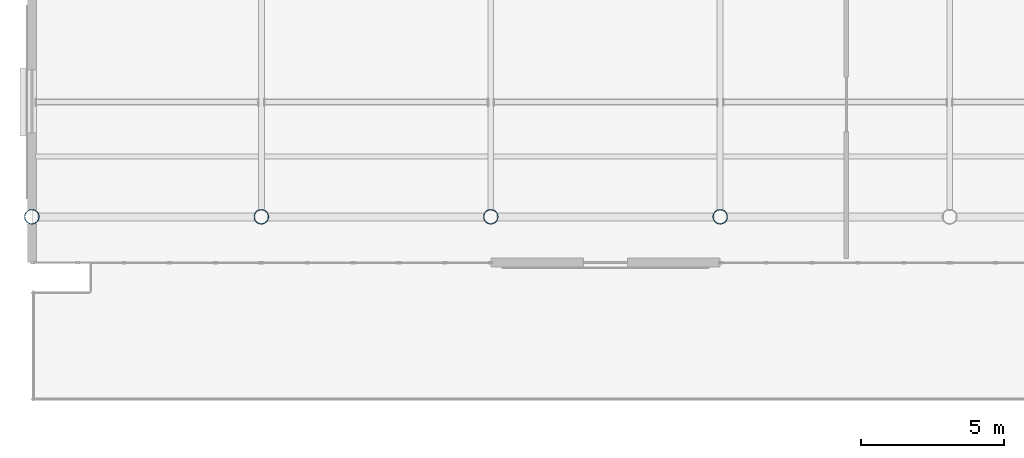
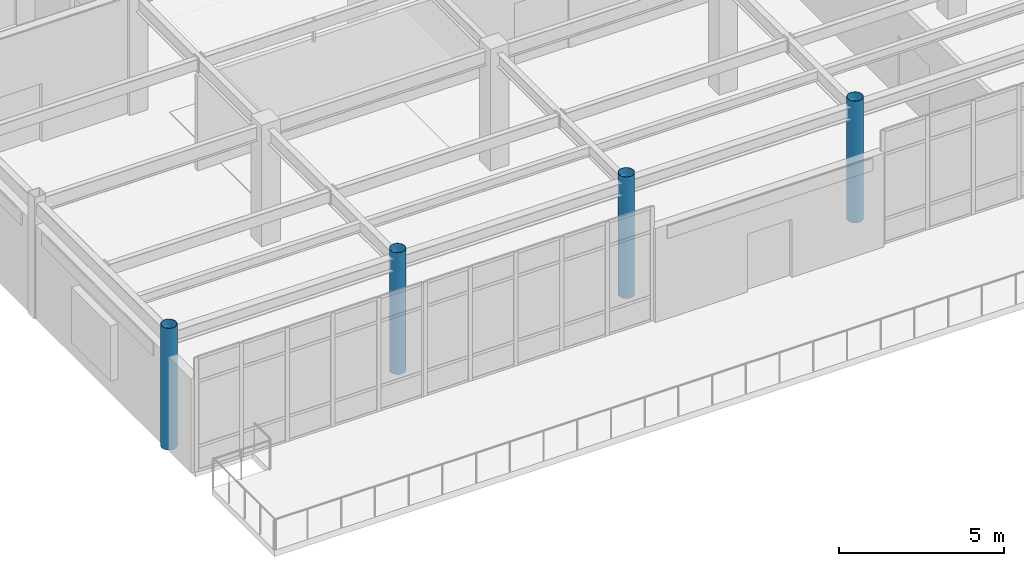
# One storey, part 8 of 93: 4 columns.
"""IFC4 building model written with IfcOpenShell, lengths in metres."""

import ifcopenshell
import ifcopenshell.guid

model = None  # the IFC model being written
_history = None  # IfcOwnerHistory: only IFC2X3 demands one
_inside = {}  # id of a spatial element -> (the spatial element, [elements in it])
_under = {}  # id of a project, library or spatial element -> (it, [spatial elements below it])
_declared = {}  # id of a project -> (the project, [libraries it declares])
_typed = {}  # id of a type object -> (the type object, [elements of that type])
_made_of = {}  # id of a material, layer set ... -> (it, [elements and type objects made of it])


def new_model(schema):
    """Start an empty IFC model of exactly this schema.

    Asked for "IFC4X3", IfcOpenShell would pick the latest addendum, in which some entities
    have other attributes; the version numbers below select the first issue.
    IFC2X3 requires an IfcOwnerHistory on every rooted entity: one is made here for all.
    """
    global model, _history
    if schema == "IFC4X3":
        model = ifcopenshell.file(schema_version=(4, 3, 0, 0))
    else:
        model = ifcopenshell.file(schema=schema)
    _inside.clear()
    _under.clear()
    _declared.clear()
    _typed.clear()
    _made_of.clear()
    _history = None
    if model.schema == "IFC2X3":
        org = make("IfcOrganization", Name="unknown")
        user = make(
            "IfcPersonAndOrganization",
            ThePerson=make("IfcPerson", FamilyName="unknown"),
            TheOrganization=org,
        )
        app = make(
            "IfcApplication",
            ApplicationDeveloper=org,
            Version="unknown",
            ApplicationFullName="unknown",
            ApplicationIdentifier="unknown",
        )
        _history = make(
            "IfcOwnerHistory",
            OwningUser=user,
            OwningApplication=app,
            ChangeAction="ADDED",
            CreationDate=0,
        )
    return model


def make(cls, **values):
    """One entity of the class cls with the attributes given. An attribute that is None is left unset."""
    return model.create_entity(
        cls, **{name: value for name, value in values.items() if value is not None}
    )


def rooted(cls, **values):
    """An entity with a GlobalId (a new one), such as an element, a storey or a relation."""
    return make(cls, GlobalId=ifcopenshell.guid.new(), OwnerHistory=_history, **values)


def si_unit(unit_type, name, prefix=None):
    """IfcSIUnit, for example si_unit("LENGTHUNIT", "METRE", prefix="MILLI")."""
    return make("IfcSIUnit", UnitType=unit_type, Prefix=prefix, Name=name)


def assignment(units):
    """IfcUnitAssignment: the units of a project."""
    return None if units is None else make("IfcUnitAssignment", Units=units)


def point(xyz):
    """IfcCartesianPoint."""
    return None if xyz is None else make("IfcCartesianPoint", Coordinates=xyz)


def direction(xyz):
    """IfcDirection."""
    return None if xyz is None else make("IfcDirection", DirectionRatios=xyz)


def frame(location, z_axis=None, x_axis=None):
    """IfcAxis2Placement3D, a coordinate frame: its origin and axes. An axis left out is left unset."""
    return make(
        "IfcAxis2Placement3D",
        Location=point(location),
        Axis=direction(z_axis),
        RefDirection=direction(x_axis),
    )


def frame_2d(location, x_axis=None):
    """IfcAxis2Placement2D, a coordinate frame in the plane: its origin and x axis."""
    return make(
        "IfcAxis2Placement2D", Location=point(location), RefDirection=direction(x_axis)
    )


def origin():
    """The frame at (0, 0, 0) with its axes left unset."""
    return frame((0.0, 0.0, 0.0))


def origin_2d():
    """The frame at (0, 0) in the plane with its x axis left unset."""
    return frame_2d((0.0, 0.0))


def place(relative_to, where):
    """IfcLocalPlacement: puts the frame where relative to a parent placement (None: the world)."""
    return make(
        "IfcLocalPlacement", PlacementRelTo=relative_to, RelativePlacement=where
    )


def context(
    kind, dimensions, precision=None, world=None, true_north=None, identifier=None
):
    """IfcGeometricRepresentationContext, for example the 3D "Model" context."""
    return make(
        "IfcGeometricRepresentationContext",
        ContextIdentifier=identifier,
        ContextType=kind,
        CoordinateSpaceDimension=dimensions,
        Precision=precision,
        WorldCoordinateSystem=world,
        TrueNorth=true_north,
    )


def subcontext(parent, identifier, kind, view, scale=None):
    """IfcGeometricRepresentationSubContext, for example "Body" below "Model"."""
    return make(
        "IfcGeometricRepresentationSubContext",
        ContextIdentifier=identifier,
        ContextType=kind,
        ParentContext=parent,
        TargetScale=scale,
        TargetView=view,
    )


def project(units=None, contexts=None):
    """IfcProject with its units and contexts."""
    return rooted(
        "IfcProject",
        Name="project",
        RepresentationContexts=contexts,
        UnitsInContext=assignment(units),
    )


def spatial(cls, under=None, at=None, **own):
    """A site, building, storey or space (cls), placed at a placement, below another one or the project."""
    s = rooted(cls, ObjectPlacement=at, **own)
    if under is not None:
        _under.setdefault(under.id(), (under, []))[1].append(s)
    return s


def profile(cls, at=None, kind="AREA", **sizes):
    """A parametric profile (cls). Its sizes go by their IFC names, for example OverallWidth=200.0."""
    return make(cls, ProfileType=kind, Position=at, **sizes)


def hollow_circle(**sizes):
    """IfcCircleHollowProfileDef."""
    return profile("IfcCircleHollowProfileDef", **sizes)


def extrude(swept, where, along, depth):
    """IfcExtrudedAreaSolid: the profile swept, set in the frame where, extruded along a direction by depth."""
    return make(
        "IfcExtrudedAreaSolid",
        SweptArea=swept,
        Position=where,
        ExtrudedDirection=direction(along),
        Depth=depth,
    )


def shape(context_of_items, identifier, shape_type, items):
    """IfcShapeRepresentation: the items that make up one representation, for example the "Body"."""
    return make(
        "IfcShapeRepresentation",
        ContextOfItems=context_of_items,
        RepresentationIdentifier=identifier,
        RepresentationType=shape_type,
        Items=items,
    )


def material(Name=None, Category=None):
    """IfcMaterial."""
    return make("IfcMaterial", Name=Name, Category=Category)


def material_profile(
    of_material, cross_section, Name=None, Category=None, Priority=None
):
    """IfcMaterialProfile: a cross section and its material."""
    return make(
        "IfcMaterialProfile",
        Name=Name,
        Material=of_material,
        Profile=cross_section,
        Priority=Priority,
        Category=Category,
    )


def profile_set(profiles, Name=None, composite=None):
    """IfcMaterialProfileSet."""
    return make(
        "IfcMaterialProfileSet",
        Name=Name,
        MaterialProfiles=profiles,
        CompositeProfile=composite,
    )


def made_of(thing, what):
    """Note that an element or type object is made of a material, layer set ...; save() writes the relation."""
    if what is not None:
        _made_of.setdefault(what.id(), (what, []))[1].append(thing)
    return thing


def type_object(cls, material=None, **own):
    """A type object (cls), such as IfcWallType, which elements share."""
    return made_of(rooted(cls, **own), material)


def element(
    cls,
    number,
    at=None,
    inside=None,
    cuts=None,
    type_object=None,
    material=None,
    context=None,
    identifier="Body",
    shape_type=None,
    held_by="IfcProductDefinitionShape",
    body=None,
    shapes=None,
    **own,
):
    """One element of the class cls, such as IfcWall. Its Tag is "e" and its number.

    at: its placement. inside: the storey or other place that contains it. cuts: it is an
    opening in that element (IfcRelVoidsElement). A single representation is given by context,
    identifier, shape_type and body (its items); several are given by shapes. held_by: the class
    of the entity that holds the representations. save() writes the other relations.
    """
    e = rooted(cls, Tag="e%d" % number, ObjectPlacement=at, **own)
    if body is not None:
        shapes = [shape(context, identifier, shape_type, body)]
    if shapes is not None:
        e.Representation = make(held_by, Representations=shapes)
    if inside is not None:
        _inside.setdefault(inside.id(), (inside, []))[1].append(e)
    if cuts is not None:
        rooted(
            "IfcRelVoidsElement", RelatingBuildingElement=cuts, RelatedOpeningElement=e
        )
    if type_object is not None:
        _typed.setdefault(type_object.id(), (type_object, []))[1].append(e)
    return made_of(e, material)


def aggregate(whole, parts):
    """IfcRelAggregates: a whole, such as a stair, and the parts it consists of."""
    return rooted("IfcRelAggregates", RelatingObject=whole, RelatedObjects=parts)


def save(model, path):
    """Write the relations noted so far, then the file.

    IfcRelAggregates (storeys below a building ...), IfcRelContainedInSpatialStructure (elements
    in a storey), IfcRelDefinesByType, IfcRelAssociatesMaterial and IfcRelDeclares: one each for
    every whole, place, type object, material and project.
    """
    for whole, parts in _under.values():
        aggregate(whole, parts)
    for where, things in _inside.values():
        rooted(
            "IfcRelContainedInSpatialStructure",
            RelatedElements=things,
            RelatingStructure=where,
        )
    for kind, things in _typed.values():
        rooted("IfcRelDefinesByType", RelatedObjects=things, RelatingType=kind)
    for what, things in _made_of.values():
        rooted("IfcRelAssociatesMaterial", RelatedObjects=things, RelatingMaterial=what)
    for by, libraries in _declared.values():
        rooted("IfcRelDeclares", RelatingContext=by, RelatedDefinitions=libraries)
    model.write(path)


model = new_model("IFC4")

# Units and contexts
model_context = context("Model", 3, precision=1e-05, world=origin(), true_north=direction((0.0, 1.0)))
body_context = subcontext(model_context, "Body", "Model", "MODEL_VIEW")
ifc_project = project(units=[si_unit("LENGTHUNIT", "METRE"), si_unit("AREAUNIT", "SQUARE_METRE"), si_unit("VOLUMEUNIT", "CUBIC_METRE"), si_unit("PLANEANGLEUNIT", "RADIAN"), si_unit("MASSUNIT", "GRAM", prefix="KILO")], contexts=[model_context])

# Site, building, storey
site_placement = place(None, origin())
site = spatial("IfcSite", under=ifc_project, at=site_placement, CompositionType="ELEMENT")
building_placement = place(site_placement, origin())
building = spatial("IfcBuilding", under=site, at=building_placement, Name="Solmirada Galleria", CompositionType="ELEMENT")
storey_placement = place(building_placement, frame((0.0, 0.0, 14.89990234375)))
storey = spatial("IfcBuildingStorey", under=building, at=storey_placement, Name="L03", CompositionType="ELEMENT", Elevation=14.89990234375)

# Columns
ifc_material = material(Name="Steel S355 / ASTM A500 Grade C", Category="steel")
ifc_material_profile = material_profile(ifc_material, hollow_circle(Radius=0.25390625, WallThickness=0.01171875, at=origin_2d()), Name="HSS20.000X0.500")
ifc_profile_set = profile_set([ifc_material_profile], Name="Steel S355 / ASTM A500 Grade C")
column_type = type_object("IfcColumnType", Name="COL-CHS20", PredefinedType="COLUMN", material=ifc_profile_set)
for number, where, z_axis, x_axis, name in (
    (1, (40.0, 88.0, 0.0), (0.0, 0.0, 1.0), (1.0, 0.0, 0.0), "Structural column L03-0049"),
    (2, (48.0, 88.0, 0.0), (0.0, 0.0, 1.0), (1.0, 0.0, 0.0), "Structural column L03-0116"),
    (3, (56.0, 88.0, 0.0), (0.0, 0.0, 1.0), (1.0, 0.0, 0.0), "Structural column L03-0183"),
    (4, (64.0, 88.0, 0.0), (0.0, 0.0, 1.0), (1.0, 0.0, 0.0), "Structural column L03-0247"),
):
    element("IfcColumn", number, at=place(storey_placement, frame(where, z_axis=z_axis, x_axis=x_axis)), inside=storey, type_object=column_type, Name=name, PredefinedType="COLUMN", context=body_context, shape_type="SweptSolid", body=[
        extrude(hollow_circle(Radius=0.25390625, WallThickness=0.01171875, at=origin_2d()), origin(), (0.0, 0.0, 1.0), 4.5),
    ])

save(model, "model.ifc")
